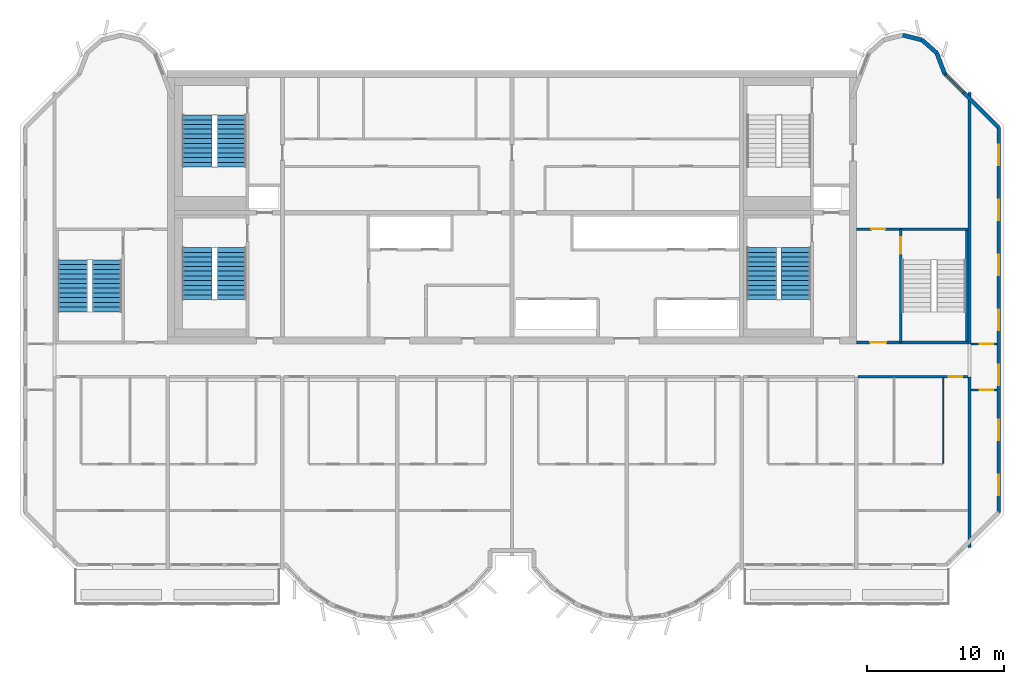
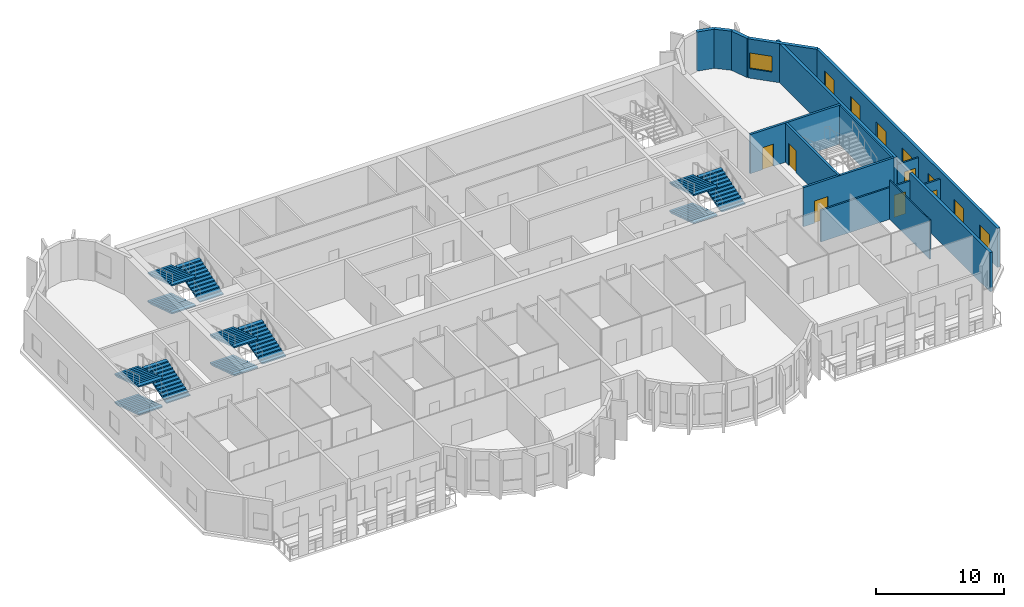
# One storey, part 8 of 12: 15 walls, 12 stair flights, 8 windows, 6 doors, 14 openings, 4 elements without a shape of their own.
"""IFC4 building model written with IfcOpenShell, lengths in metres."""

from ifc_helpers import new_model, si_unit, direction, frame, frame_2d, origin, place, context, subcontext, project, spatial, polyline, rectangle, outline, extrude, source, transform, mapped, material, layer, layer_set, type_object, element, fill, aggregate, save


model = new_model("IFC4")

# Units and contexts
model_context = context("Model", 3, precision=1e-05, world=origin(), true_north=direction((0.0, 1.0)))
body_context = subcontext(model_context, "Body", "Model", "MODEL_VIEW")
ifc_project = project(units=[si_unit("LENGTHUNIT", "METRE"), si_unit("AREAUNIT", "SQUARE_METRE"), si_unit("VOLUMEUNIT", "CUBIC_METRE"), si_unit("PLANEANGLEUNIT", "RADIAN"), si_unit("MASSUNIT", "GRAM", prefix="KILO")], contexts=[model_context])

# Site, building, storey
site_placement = place(None, origin())
site = spatial("IfcSite", under=ifc_project, at=site_placement, CompositionType="ELEMENT")
building_placement = place(site_placement, origin())
building = spatial("IfcBuilding", under=site, at=building_placement, Name="Vanashikhar Sky Hotel", CompositionType="ELEMENT")
storey_placement = place(building_placement, frame((0.0, 0.0, 285.699951171875)))
storey = spatial("IfcBuildingStorey", under=building, at=storey_placement, Name="L68", CompositionType="ELEMENT", Elevation=285.699951171875)

# Walls
ifc_material_1 = material(Name="Concrete M50", Category="concrete")
ifc_layer_1 = layer(ifc_material_1, 0.25)
ifc_layer_set_1 = layer_set([ifc_layer_1], Name="RC shear wall 250 Concrete M50")
wall_type_1 = type_object("IfcWallType", Name="RC shear wall 250 Concrete M50", PredefinedType="SHEAR", material=ifc_layer_set_1)
shared_shape_1 = source(origin(), body_context, "Body", "SweptSolid", [
    extrude(rectangle(XDim=12.5, YDim=0.25, at=frame_2d((6.25, 0.0))), origin(), (0.0, 0.0, 1.0), 3.719970703125),
])
wall_1_placement = place(storey_placement, frame((83.875, 7.10009765625, 0.0), z_axis=(0.0, 0.0, 1.0), x_axis=(0.0, 1.0, 0.0)))
element("IfcWall", 1, at=wall_1_placement, inside=storey, type_object=wall_type_1, Name="CW-L68-XW11-1", PredefinedType="SHEAR", context=body_context, shape_type="MappedRepresentation", body=[
    mapped(shared_shape_1, transform((0.0, 0.0, 0.0), scale=1.0)),
])
shared_shape_2 = source(origin(), body_context, "Body", "SweptSolid", [
    extrude(rectangle(XDim=18.39990234375, YDim=0.25, at=frame_2d((9.199951171875, 0.0))), origin(), (0.0, 0.0, 1.0), 3.719970703125),
])
wall_2_placement = place(storey_placement, frame((83.875, 22.0, 0.0), z_axis=(0.0, 0.0, 1.0), x_axis=(0.0, 1.0, 0.0)))
element("IfcWall", 2, at=wall_2_placement, inside=storey, type_object=wall_type_1, Name="CW-L68-XW11-2", PredefinedType="SHEAR", context=body_context, shape_type="MappedRepresentation", body=[
    mapped(shared_shape_2, transform((0.0, 0.0, 0.0), scale=1.0)),
])

# Wall, opening, window
ifc_layer_2 = layer(ifc_material_1, 0.300048828125)
ifc_layer_set_2 = layer_set([ifc_layer_2], Name="Lobe wall 300")
wall_type_2 = type_object("IfcWallType", Name="Lobe wall 300", PredefinedType="SOLIDWALL", material=ifc_layer_set_2)
shared_shape_3 = source(origin(), body_context, "Body", "SweptSolid", [
    extrude(rectangle(XDim=5.576416015625, YDim=0.300048828125, at=frame_2d((2.7880859375, 0.0))), origin(), (0.0, 0.0, 1.0), 3.719970703125),
])
wall_3_placement = place(storey_placement, frame((86.0, 37.834228515625, 0.0), z_axis=(0.0, 0.0, 1.0), x_axis=(-0.707106781187, 0.707106781187, 0.0)))
wall_3 = element("IfcWall", 3, at=wall_3_placement, inside=storey, type_object=wall_type_2, Name="Corner wall", PredefinedType="SOLIDWALL", context=body_context, shape_type="MappedRepresentation", body=[
    mapped(shared_shape_3, transform((0.0, 0.0, 0.0), scale=1.0)),
])
shared_shape_4 = source(origin(), body_context, "Body", "SweptSolid", [
    extrude(rectangle(XDim=1.800048828125, YDim=1.5, at=frame_2d((0.89990234375, 0.75))), frame((0.0, 0.16015625, 0.0), z_axis=(0.0, -1.0, 0.0), x_axis=(1.0, 0.0, 0.0)), (0.0, 0.0, 1.0), 0.320068359375),
])
opening_1_placement = place(wall_3_placement, frame((3.640869140625, 0.0, 0.89990234375)))
opening_1 = element("IfcOpeningElement", 4, at=opening_1_placement, cuts=wall_3, Name="Opening WN-4", PredefinedType="OPENING", context=body_context, shape_type="MappedRepresentation", body=[
    mapped(shared_shape_4, transform((0.0, 0.0, 0.0), scale=1.0)),
])
ifc_material_2 = material(Name="Glass", Category="glass")
window_type_1 = type_object("IfcWindowType", Name="Corner window 1800 x 1500", PartitioningType="SINGLE_PANEL", PredefinedType="WINDOW", material=ifc_material_2)
shared_shape_5 = source(origin(), body_context, "Body", "SweptSolid", [
    extrude(rectangle(XDim=1.800048828125, YDim=1.5, at=frame_2d((0.89990234375, 0.75))), frame((0.0, 0.030029296875, 0.0), z_axis=(0.0, -1.0, 0.0), x_axis=(1.0, 0.0, 0.0)), (0.0, 0.0, 1.0), 0.06005859375),
])
window_1_placement = place(opening_1_placement, origin())
window_1 = element("IfcWindow", 5, at=window_1_placement, inside=storey, type_object=window_type_1, Name="Window WN-4", OverallHeight=1.5, OverallWidth=1.800048828125, PartitioningType="SINGLE_PANEL", PredefinedType="WINDOW", context=body_context, shape_type="MappedRepresentation", body=[
    mapped(shared_shape_5, transform((0.0, 0.0, 0.0), scale=1.0)),
])
fill(opening_1, window_1)

# Walls
shared_shape_6 = source(origin(), body_context, "Body", "SweptSolid", [
    extrude(rectangle(XDim=1.6220703125, YDim=0.300048828125, at=frame_2d((0.81103515625, 0.0))), origin(), (0.0, 0.0, 1.0), 3.719970703125),
])
wall_4_placement = place(storey_placement, frame((82.056884765625, 41.77734375, 0.0), z_axis=(0.0, 0.0, 1.0), x_axis=(-0.357778527068, 0.933806471154, 0.0)))
element("IfcWall", 6, at=wall_4_placement, inside=storey, type_object=wall_type_2, Name="Lobe wall", PredefinedType="SOLIDWALL", context=body_context, shape_type="MappedRepresentation", body=[
    mapped(shared_shape_6, transform((0.0, 0.0, 0.0), scale=1.0)),
])
shared_shape_7 = source(origin(), body_context, "Body", "SweptSolid", [
    extrude(rectangle(XDim=1.43994140625, YDim=0.300048828125, at=frame_2d((0.719970703125, 0.0))), origin(), (0.0, 0.0, 1.0), 3.719970703125),
])
wall_5_placement = place(storey_placement, frame((81.4765625, 43.2919921875, 0.0), z_axis=(0.0, 0.0, 1.0), x_axis=(-0.74957555648, 0.661918790432, 0.0)))
element("IfcWall", 7, at=wall_5_placement, inside=storey, type_object=wall_type_2, Name="Lobe wall", PredefinedType="SOLIDWALL", context=body_context, shape_type="MappedRepresentation", body=[
    mapped(shared_shape_7, transform((0.0, 0.0, 0.0), scale=1.0)),
])
shared_shape_8 = source(origin(), body_context, "Body", "SweptSolid", [
    extrude(rectangle(XDim=1.438720703125, YDim=0.300048828125, at=frame_2d((0.71923828125, 0.0))), origin(), (0.0, 0.0, 1.0), 3.719970703125),
])
wall_6_placement = place(storey_placement, frame((80.397216796875, 44.2451171875, 0.0), z_axis=(0.0, 0.0, 1.0), x_axis=(-0.971161932466, 0.238420848351, 0.0)))
element("IfcWall", 8, at=wall_6_placement, inside=storey, type_object=wall_type_2, Name="Lobe wall", PredefinedType="SOLIDWALL", context=body_context, shape_type="MappedRepresentation", body=[
    mapped(shared_shape_8, transform((0.0, 0.0, 0.0), scale=1.0)),
])

# Wall, openings, windows
ifc_layer_3 = layer(ifc_material_1, 0.25)
ifc_layer_set_3 = layer_set([ifc_layer_3], Name="Rear and end board-marked wall 250")
wall_type_3 = type_object("IfcWallType", Name="Rear and end board-marked wall 250", PredefinedType="SOLIDWALL", material=ifc_layer_set_3)
shared_shape_9 = source(origin(), body_context, "Body", "SweptSolid", [
    extrude(rectangle(XDim=28.189453125, YDim=0.25, at=frame_2d((14.0947265625, 0.0))), origin(), (0.0, 0.0, 1.0), 3.719970703125),
])
wall_7_placement = place(storey_placement, frame((86.02490234375, 9.6552734375, 0.0), z_axis=(0.0, 0.0, 1.0), x_axis=(0.0, 1.0, 0.0)))
wall_7 = element("IfcWall", 9, at=wall_7_placement, inside=storey, type_object=wall_type_3, Name="End board-marked wall", PredefinedType="SOLIDWALL", context=body_context, shape_type="MappedRepresentation", body=[
    mapped(shared_shape_9, transform((0.0, 0.0, 0.0), scale=1.0)),
])
shared_shape_10 = source(origin(), body_context, "Body", "SweptSolid", [
    extrude(rectangle(XDim=1.5, YDim=1.5, at=frame_2d((0.75, 0.75))), frame((0.0, 0.135009765625, 0.0), z_axis=(0.0, -1.0, 0.0), x_axis=(1.0, 0.0, 0.0)), (0.0, 0.0, 1.0), 0.27001953125),
])
opening_2_placement = place(wall_7_placement, frame((1.263427734375, 0.0, 0.89990234375)))
opening_2 = element("IfcOpeningElement", 10, at=opening_2_placement, cuts=wall_7, Name="Opening WN-1", PredefinedType="OPENING", context=body_context, shape_type="MappedRepresentation", body=[
    mapped(shared_shape_10, transform((0.0, 0.0, 0.0), scale=1.0)),
])
opening_3_placement = place(wall_7_placement, frame((5.29052734375, 0.0, 0.89990234375)))
opening_3 = element("IfcOpeningElement", 11, at=opening_3_placement, cuts=wall_7, Name="Opening WN-1", PredefinedType="OPENING", context=body_context, shape_type="MappedRepresentation", body=[
    mapped(shared_shape_10, transform((0.0, 0.0, 0.0), scale=1.0)),
])
opening_4_placement = place(wall_7_placement, frame((9.317626953125, 0.0, 0.89990234375)))
opening_4 = element("IfcOpeningElement", 12, at=opening_4_placement, cuts=wall_7, Name="Opening WN-1", PredefinedType="OPENING", context=body_context, shape_type="MappedRepresentation", body=[
    mapped(shared_shape_10, transform((0.0, 0.0, 0.0), scale=1.0)),
])
opening_5_placement = place(wall_7_placement, frame((13.3447265625, 0.0, 0.89990234375)))
opening_5 = element("IfcOpeningElement", 13, at=opening_5_placement, cuts=wall_7, Name="Opening WN-1", PredefinedType="OPENING", context=body_context, shape_type="MappedRepresentation", body=[
    mapped(shared_shape_10, transform((0.0, 0.0, 0.0), scale=1.0)),
])
opening_6_placement = place(wall_7_placement, frame((17.371826171875, 0.0, 0.89990234375)))
opening_6 = element("IfcOpeningElement", 14, at=opening_6_placement, cuts=wall_7, Name="Opening WN-1", PredefinedType="OPENING", context=body_context, shape_type="MappedRepresentation", body=[
    mapped(shared_shape_10, transform((0.0, 0.0, 0.0), scale=1.0)),
])
opening_7_placement = place(wall_7_placement, frame((21.398681640625, 0.0, 0.89990234375)))
opening_7 = element("IfcOpeningElement", 15, at=opening_7_placement, cuts=wall_7, Name="Opening WN-1", PredefinedType="OPENING", context=body_context, shape_type="MappedRepresentation", body=[
    mapped(shared_shape_10, transform((0.0, 0.0, 0.0), scale=1.0)),
])
opening_8_placement = place(wall_7_placement, frame((25.42578125, 0.0, 0.89990234375)))
opening_8 = element("IfcOpeningElement", 16, at=opening_8_placement, cuts=wall_7, Name="Opening WN-1", PredefinedType="OPENING", context=body_context, shape_type="MappedRepresentation", body=[
    mapped(shared_shape_10, transform((0.0, 0.0, 0.0), scale=1.0)),
])
window_type_2 = type_object("IfcWindowType", Name="Window 1500 x 1500", PartitioningType="SINGLE_PANEL", PredefinedType="WINDOW", material=ifc_material_2)
shared_shape_11 = source(origin(), body_context, "Body", "SweptSolid", [
    extrude(rectangle(XDim=1.5, YDim=1.5, at=frame_2d((0.75, 0.75))), frame((0.0, 0.030029296875, 0.0), z_axis=(0.0, -1.0, 0.0), x_axis=(1.0, 0.0, 0.0)), (0.0, 0.0, 1.0), 0.06005859375),
])
window_2_placement = place(opening_2_placement, origin())
window_2 = element("IfcWindow", 17, at=window_2_placement, inside=storey, type_object=window_type_2, Name="Window WN-1", OverallHeight=1.5, OverallWidth=1.5, PartitioningType="SINGLE_PANEL", PredefinedType="WINDOW", context=body_context, shape_type="MappedRepresentation", body=[
    mapped(shared_shape_11, transform((0.0, 0.0, 0.0), scale=1.0)),
])
fill(opening_2, window_2)
window_3_placement = place(opening_3_placement, origin())
window_3 = element("IfcWindow", 18, at=window_3_placement, inside=storey, type_object=window_type_2, Name="Window WN-1", OverallHeight=1.5, OverallWidth=1.5, PartitioningType="SINGLE_PANEL", PredefinedType="WINDOW", context=body_context, shape_type="MappedRepresentation", body=[
    mapped(shared_shape_11, transform((0.0, 0.0, 0.0), scale=1.0)),
])
fill(opening_3, window_3)
window_4_placement = place(opening_4_placement, origin())
window_4 = element("IfcWindow", 19, at=window_4_placement, inside=storey, type_object=window_type_2, Name="Window WN-1", OverallHeight=1.5, OverallWidth=1.5, PartitioningType="SINGLE_PANEL", PredefinedType="WINDOW", context=body_context, shape_type="MappedRepresentation", body=[
    mapped(shared_shape_11, transform((0.0, 0.0, 0.0), scale=1.0)),
])
fill(opening_4, window_4)
window_5_placement = place(opening_5_placement, origin())
window_5 = element("IfcWindow", 20, at=window_5_placement, inside=storey, type_object=window_type_2, Name="Window WN-1", OverallHeight=1.5, OverallWidth=1.5, PartitioningType="SINGLE_PANEL", PredefinedType="WINDOW", context=body_context, shape_type="MappedRepresentation", body=[
    mapped(shared_shape_11, transform((0.0, 0.0, 0.0), scale=1.0)),
])
fill(opening_5, window_5)
window_6_placement = place(opening_6_placement, origin())
window_6 = element("IfcWindow", 21, at=window_6_placement, inside=storey, type_object=window_type_2, Name="Window WN-1", OverallHeight=1.5, OverallWidth=1.5, PartitioningType="SINGLE_PANEL", PredefinedType="WINDOW", context=body_context, shape_type="MappedRepresentation", body=[
    mapped(shared_shape_11, transform((0.0, 0.0, 0.0), scale=1.0)),
])
fill(opening_6, window_6)
window_7_placement = place(opening_7_placement, origin())
window_7 = element("IfcWindow", 22, at=window_7_placement, inside=storey, type_object=window_type_2, Name="Window WN-1", OverallHeight=1.5, OverallWidth=1.5, PartitioningType="SINGLE_PANEL", PredefinedType="WINDOW", context=body_context, shape_type="MappedRepresentation", body=[
    mapped(shared_shape_11, transform((0.0, 0.0, 0.0), scale=1.0)),
])
fill(opening_7, window_7)
window_8_placement = place(opening_8_placement, origin())
window_8 = element("IfcWindow", 23, at=window_8_placement, inside=storey, type_object=window_type_2, Name="Window WN-1", OverallHeight=1.5, OverallWidth=1.5, PartitioningType="SINGLE_PANEL", PredefinedType="WINDOW", context=body_context, shape_type="MappedRepresentation", body=[
    mapped(shared_shape_11, transform((0.0, 0.0, 0.0), scale=1.0)),
])
fill(opening_8, window_8)

# Wall, opening, door
ifc_layer_4 = layer(ifc_material_1, 0.199951171875)
ifc_layer_set_4 = layer_set([ifc_layer_4], Name="Stair wall 200")
wall_type_4 = type_object("IfcWallType", Name="Stair wall 200", PredefinedType="SOLIDWALL", material=ifc_layer_set_4)
shared_shape_12 = source(origin(), body_context, "Body", "SweptSolid", [
    extrude(rectangle(XDim=8.2998046875, YDim=0.199951171875, at=frame_2d((4.14990234375, 0.0))), origin(), (0.0, 0.0, 1.0), 3.719970703125),
])
wall_8_placement = place(storey_placement, frame((78.85009765625, 22.10009765625, 0.0), z_axis=(0.0, 0.0, 1.0), x_axis=(0.0, 1.0, 0.0)))
wall_8 = element("IfcWall", 24, at=wall_8_placement, inside=storey, type_object=wall_type_4, Name="Stair wall 200", PredefinedType="SOLIDWALL", context=body_context, shape_type="MappedRepresentation", body=[
    mapped(shared_shape_12, transform((0.0, 0.0, 0.0), scale=1.0)),
])
shared_shape_13 = source(origin(), body_context, "Body", "SweptSolid", [
    extrude(rectangle(XDim=1.199951171875, YDim=2.10009765625, at=frame_2d((0.60009765625, 1.050048828125))), frame((0.0, 0.10986328125, 0.0), z_axis=(0.0, -1.0, 0.0), x_axis=(1.0, 0.0, 0.0)), (0.0, 0.0, 1.0), 0.219970703125),
])
opening_9_placement = place(wall_8_placement, frame((6.5, 0.0, 0.0)))
opening_9 = element("IfcOpeningElement", 25, at=opening_9_placement, cuts=wall_8, Name="Opening DC-1", PredefinedType="OPENING", context=body_context, shape_type="MappedRepresentation", body=[
    mapped(shared_shape_13, transform((0.0, 0.0, 0.0), scale=1.0)),
])
ifc_material_3 = material(Name="Steel", Category="steel")
door_type_1 = type_object("IfcDoorType", Name="Stair door 1200 FD120", OperationType="NOTDEFINED", PredefinedType="DOOR", material=ifc_material_3)
shared_shape_14 = source(origin(), body_context, "Body", "SweptSolid", [
    extrude(rectangle(XDim=1.199951171875, YDim=2.10009765625, at=frame_2d((0.60009765625, 1.050048828125))), frame((0.0, 0.02490234375, 0.0), z_axis=(0.0, -1.0, 0.0), x_axis=(1.0, 0.0, 0.0)), (0.0, 0.0, 1.0), 0.050048828125),
])
door_1_placement = place(opening_9_placement, origin())
door_1 = element("IfcDoor", 26, at=door_1_placement, inside=storey, type_object=door_type_1, Name="Stair door 1200 FD120", OperationType="SINGLE_SWING_RIGHT", OverallHeight=2.10009765625, OverallWidth=1.199951171875, PredefinedType="DOOR", context=body_context, shape_type="MappedRepresentation", body=[
    mapped(shared_shape_14, transform((0.0, 0.0, 0.0), scale=1.0)),
])
fill(opening_9, door_1)

shared_shape_15 = source(origin(), body_context, "Body", "SweptSolid", [
    extrude(rectangle(XDim=8.14990234375, YDim=0.199951171875, at=frame_2d((4.074951171875, 0.0))), origin(), (0.0, 0.0, 1.0), 3.719970703125),
])
wall_9_placement = place(storey_placement, frame((83.75, 22.10009765625, 0.0), z_axis=(0.0, 0.0, 1.0), x_axis=(-1.0, 0.0, 0.0)))
wall_9 = element("IfcWall", 27, at=wall_9_placement, inside=storey, type_object=wall_type_4, Name="Stair wall 200", PredefinedType="SOLIDWALL", context=body_context, shape_type="MappedRepresentation", body=[
    mapped(shared_shape_15, transform((0.0, 0.0, 0.0), scale=1.0)),
])
opening_10_placement = place(wall_9_placement, frame((5.949951171875, 0.0, 0.0)))
opening_10 = element("IfcOpeningElement", 28, at=opening_10_placement, cuts=wall_9, Name="Opening DC-2", PredefinedType="OPENING", context=body_context, shape_type="MappedRepresentation", body=[
    mapped(shared_shape_13, transform((0.0, 0.0, 0.0), scale=1.0)),
])
door_type_2 = type_object("IfcDoorType", Name="Firefighting lobby door 1200 FD120", OperationType="NOTDEFINED", PredefinedType="DOOR", material=ifc_material_3)
door_2_placement = place(opening_10_placement, origin())
door_2 = element("IfcDoor", 29, at=door_2_placement, inside=storey, type_object=door_type_2, Name="Firefighting lobby door 1200 FD120", OperationType="SINGLE_SWING_RIGHT", OverallHeight=2.10009765625, OverallWidth=1.199951171875, PredefinedType="DOOR", context=body_context, shape_type="MappedRepresentation", body=[
    mapped(shared_shape_14, transform((0.0, 0.0, 0.0), scale=1.0)),
])
fill(opening_10, door_2)

wall_10_placement = place(storey_placement, frame((83.75, 30.39990234375, 0.0), z_axis=(0.0, 0.0, 1.0), x_axis=(-1.0, 0.0, 0.0)))
wall_10 = element("IfcWall", 30, at=wall_10_placement, inside=storey, type_object=wall_type_4, Name="Stair wall 200", PredefinedType="SOLIDWALL", context=body_context, shape_type="MappedRepresentation", body=[
    mapped(shared_shape_15, transform((0.0, 0.0, 0.0), scale=1.0)),
])
shared_shape_16 = source(origin(), body_context, "Body", "SweptSolid", [
    extrude(rectangle(XDim=1.0, YDim=2.10009765625, at=frame_2d((0.5, 1.050048828125))), frame((0.0, 0.10986328125, 0.0), z_axis=(0.0, -1.0, 0.0), x_axis=(1.0, 0.0, 0.0)), (0.0, 0.0, 1.0), 0.219970703125),
])
opening_11_placement = place(wall_10_placement, frame((6.050048828125, 0.0, 0.0)))
opening_11 = element("IfcOpeningElement", 31, at=opening_11_placement, cuts=wall_10, Name="Opening DC-6", PredefinedType="OPENING", context=body_context, shape_type="MappedRepresentation", body=[
    mapped(shared_shape_16, transform((0.0, 0.0, 0.0), scale=1.0)),
])
door_type_3 = type_object("IfcDoorType", Name="Pocket door 1000 FD60", OperationType="NOTDEFINED", PredefinedType="DOOR", material=ifc_material_3)
shared_shape_17 = source(origin(), body_context, "Body", "SweptSolid", [
    extrude(rectangle(XDim=1.0, YDim=2.10009765625, at=frame_2d((0.5, 1.050048828125))), frame((0.0, 0.02490234375, 0.0), z_axis=(0.0, -1.0, 0.0), x_axis=(1.0, 0.0, 0.0)), (0.0, 0.0, 1.0), 0.050048828125),
])
door_3_placement = place(opening_11_placement, origin())
door_3 = element("IfcDoor", 32, at=door_3_placement, inside=storey, type_object=door_type_3, Name="Pocket door 1000 FD60", OperationType="SINGLE_SWING_RIGHT", OverallHeight=2.10009765625, OverallWidth=1.0, PredefinedType="DOOR", context=body_context, shape_type="MappedRepresentation", body=[
    mapped(shared_shape_17, transform((0.0, 0.0, 0.0), scale=1.0)),
])
fill(opening_11, door_3)

# Walls
ifc_layer_5 = layer(ifc_material_1, 0.14990234375)
ifc_layer_set_5 = layer_set([ifc_layer_5], Name="Stair infill wall 150")
wall_type_5 = type_object("IfcWallType", Name="Stair infill wall 150", PredefinedType="SOLIDWALL", material=ifc_layer_set_5)
shared_shape_18 = source(origin(), body_context, "Body", "SweptSolid", [
    extrude(rectangle(XDim=8.10009765625, YDim=0.14990234375, at=frame_2d((4.050048828125, 0.0))), origin(), (0.0, 0.0, 1.0), 3.719970703125),
])
wall_11_placement = place(storey_placement, frame((83.675048828125, 22.199951171875, 0.0), z_axis=(0.0, 0.0, 1.0), x_axis=(0.0, 1.0, 0.0)))
element("IfcWall", 33, at=wall_11_placement, inside=storey, type_object=wall_type_5, Name="Stair infill wall 150", PredefinedType="SOLIDWALL", context=body_context, shape_type="MappedRepresentation", body=[
    mapped(shared_shape_18, transform((0.0, 0.0, 0.0), scale=1.0)),
])
ifc_material_4 = material(Name="Gypsum plasterboard partition")
ifc_layer_6 = layer(ifc_material_4, 0.10009765625)
ifc_layer_set_6 = layer_set([ifc_layer_6], Name="Wet room partition 100")
wall_type_6 = type_object("IfcWallType", Name="Wet room partition 100", PredefinedType="PARTITIONING", material=ifc_layer_set_6)
shared_shape_19 = source(origin(), body_context, "Body", "SweptSolid", [
    extrude(rectangle(XDim=6.25, YDim=0.10009765625, at=frame_2d((3.125, 0.0))), origin(), (0.0, 0.0, 1.0), 3.719970703125),
])
wall_12_placement = place(storey_placement, frame((81.949951171875, 13.27490234375, 0.0), z_axis=(0.0, 0.0, 1.0), x_axis=(0.0, 1.0, 0.0)))
element("IfcWall", 34, at=wall_12_placement, inside=storey, type_object=wall_type_6, Name="W-L68-PW040", PredefinedType="PARTITIONING", context=body_context, shape_type="MappedRepresentation", body=[
    mapped(shared_shape_19, transform((0.0, 0.0, 0.0), scale=1.0)),
])

# Wall, opening, door
ifc_layer_7 = layer(ifc_material_4, 0.14990234375)
ifc_layer_set_7 = layer_set([ifc_layer_7], Name="Corridor and demising partition 150")
wall_type_7 = type_object("IfcWallType", Name="Corridor and demising partition 150", PredefinedType="PARTITIONING", material=ifc_layer_set_7)
shared_shape_20 = source(origin(), body_context, "Body", "SweptSolid", [
    extrude(rectangle(XDim=8.02490234375, YDim=0.14990234375, at=frame_2d((4.012451171875, 0.0))), origin(), (0.0, 0.0, 1.0), 3.02001953125),
])
wall_13_placement = place(storey_placement, frame((75.72509765625, 19.60009765625, 0.0), z_axis=(0.0, 0.0, 1.0), x_axis=(1.0, 0.0, 0.0)))
wall_13 = element("IfcWall", 35, at=wall_13_placement, inside=storey, type_object=wall_type_7, Name="W-L68-PW045", PredefinedType="PARTITIONING", context=body_context, shape_type="MappedRepresentation", body=[
    mapped(shared_shape_20, transform((0.0, 0.0, 0.0), scale=1.0)),
])
shared_shape_21 = source(origin(), body_context, "Body", "SweptSolid", [
    extrude(rectangle(XDim=1.0, YDim=2.10009765625, at=frame_2d((0.5, 1.050048828125))), frame((0.0, 0.0849609375, 0.0), z_axis=(0.0, -1.0, 0.0), x_axis=(1.0, 0.0, 0.0)), (0.0, 0.0, 1.0), 0.169921875),
])
opening_12_placement = place(wall_13_placement, frame((6.625, 0.0, 0.0)))
opening_12 = element("IfcOpeningElement", 36, at=opening_12_placement, cuts=wall_13, Name="Opening D-01", PredefinedType="OPENING", context=body_context, shape_type="MappedRepresentation", body=[
    mapped(shared_shape_21, transform((0.0, 0.0, 0.0), scale=1.0)),
])
ifc_material_5 = material(Name="Timber fire door", Category="wood")
door_type_4 = type_object("IfcDoorType", Name="Guest entry door 1000 FD30S", OperationType="NOTDEFINED", PredefinedType="DOOR", material=ifc_material_5)
door_4_placement = place(opening_12_placement, origin())
door_4 = element("IfcDoor", 37, at=door_4_placement, inside=storey, type_object=door_type_4, Name="D-L68-029", OperationType="SINGLE_SWING_RIGHT", OverallHeight=2.10009765625, OverallWidth=1.0, PredefinedType="DOOR", context=body_context, shape_type="MappedRepresentation", body=[
    mapped(shared_shape_17, transform((0.0, 0.0, 0.0), scale=1.0)),
])
fill(opening_12, door_4)

shared_shape_22 = source(origin(), body_context, "Body", "SweptSolid", [
    extrude(rectangle(XDim=1.89990234375, YDim=0.14990234375, at=frame_2d((0.949951171875, 0.0))), origin(), (0.0, 0.0, 1.0), 3.02001953125),
])
wall_14_placement = place(storey_placement, frame((84.0, 22.0, 0.0), z_axis=(0.0, 0.0, 1.0), x_axis=(1.0, 0.0, 0.0)))
wall_14 = element("IfcWall", 38, at=wall_14_placement, inside=storey, type_object=wall_type_7, Name="W-L68-PW049", PredefinedType="PARTITIONING", context=body_context, shape_type="MappedRepresentation", body=[
    mapped(shared_shape_22, transform((0.0, 0.0, 0.0), scale=1.0)),
])
opening_13_placement = place(wall_14_placement, frame((0.625, 0.0, 0.0)))
opening_13 = element("IfcOpeningElement", 39, at=opening_13_placement, cuts=wall_14, Name="Opening D-01", PredefinedType="OPENING", context=body_context, shape_type="MappedRepresentation", body=[
    mapped(shared_shape_21, transform((0.0, 0.0, 0.0), scale=1.0)),
])
door_5_placement = place(opening_13_placement, origin())
door_5 = element("IfcDoor", 40, at=door_5_placement, inside=storey, type_object=door_type_4, Name="D-L68-031", OperationType="SINGLE_SWING_RIGHT", OverallHeight=2.10009765625, OverallWidth=1.0, PredefinedType="DOOR", context=body_context, shape_type="MappedRepresentation", body=[
    mapped(shared_shape_17, transform((0.0, 0.0, 0.0), scale=1.0)),
])
fill(opening_13, door_5)

wall_15_placement = place(storey_placement, frame((84.0, 18.6279296875, 0.0), z_axis=(0.0, 0.0, 1.0), x_axis=(1.0, 0.0, 0.0)))
wall_15 = element("IfcWall", 41, at=wall_15_placement, inside=storey, type_object=wall_type_7, Name="W-L68-PW051", PredefinedType="PARTITIONING", context=body_context, shape_type="MappedRepresentation", body=[
    mapped(shared_shape_22, transform((0.0, 0.0, 0.0), scale=1.0)),
])
opening_14_placement = place(wall_15_placement, frame((0.625, 0.0, 0.0)))
opening_14 = element("IfcOpeningElement", 42, at=opening_14_placement, cuts=wall_15, Name="Opening D-01", PredefinedType="OPENING", context=body_context, shape_type="MappedRepresentation", body=[
    mapped(shared_shape_21, transform((0.0, 0.0, 0.0), scale=1.0)),
])
door_6_placement = place(opening_14_placement, origin())
door_6 = element("IfcDoor", 43, at=door_6_placement, inside=storey, type_object=door_type_4, Name="D-L68-033", OperationType="SINGLE_SWING_RIGHT", OverallHeight=2.10009765625, OverallWidth=1.0, PredefinedType="DOOR", context=body_context, shape_type="MappedRepresentation", body=[
    mapped(shared_shape_17, transform((0.0, 0.0, 0.0), scale=1.0)),
])
fill(opening_14, door_6)

# Stair, stair flights
ifc_material_6 = material(Name="Concrete M40", Category="concrete")
stair_type = type_object("IfcStairType", Name="Exit stair 2150", PredefinedType="DOUBLE_RETURN_STAIR", material=ifc_material_6)
stair_1_placement = place(storey_placement, origin())
stair_1 = element("IfcStair", 44, at=stair_1_placement, inside=storey, type_object=stair_type, Name="L68 Exit stair 1", PredefinedType="DOUBLE_RETURN_STAIR")
stair_flight_type = type_object("IfcStairFlightType", Name="Stair flight 2150", PredefinedType="STRAIGHT", material=ifc_material_6)
shared_shape_23 = source(origin(), body_context, "Body", "SweptSolid", [
    extrude(outline(polyline([(0.0, 0.0), (0.0, 0.111083984375), (0.345458984375, 0.111083984375), (0.345458984375, 0.22216796875), (0.69091796875, 0.22216796875), (0.69091796875, 0.333251953125), (1.036376953125, 0.333251953125), (1.036376953125, 0.4443359375), (1.3818359375, 0.4443359375), (1.3818359375, 0.5556640625), (1.727294921875, 0.5556640625), (1.727294921875, 0.666748046875), (2.07275390625, 0.666748046875), (2.07275390625, 0.77783203125), (2.418212890625, 0.77783203125), (2.418212890625, 0.888916015625), (2.763671875, 0.888916015625), (2.763671875, 1.0), (3.109130859375, 1.0), (3.109130859375, 1.111083984375), (3.45458984375, 1.111083984375), (3.45458984375, 1.22216796875), (3.800048828125, 1.22216796875), (3.800048828125, 1.333251953125), (3.800048828125, 1.095947265625), (0.392333984375, 0.0), (0.0, 0.0)])), frame((0.0, 1.074951171875, 0.0), z_axis=(0.0, -1.0, 0.0), x_axis=(1.0, 0.0, 0.0)), (0.0, 0.0, 1.0), 2.14990234375),
])
stair_flight_1_placement = place(storey_placement, frame((27.375, 29.050048828125, 0.0), z_axis=(0.0, 0.0, 1.0), x_axis=(0.0, -1.0, 0.0)))
stair_flight_1 = element("IfcStairFlight", 45, at=stair_flight_1_placement, type_object=stair_flight_type, Name="ST-C1 flight 1", NumberOfRisers=12, NumberOfTreads=11, PredefinedType="STRAIGHT", RiserHeight=0.111111111, TreadLength=0.345454545, context=body_context, shape_type="MappedRepresentation", body=[
    mapped(shared_shape_23, transform((0.0, 0.0, 0.0), scale=1.0)),
])
stair_flight_2_placement = place(storey_placement, frame((29.875, 25.25, 1.33349609375), z_axis=(0.0, 0.0, 1.0), x_axis=(0.0, 1.0, 0.0)))
stair_flight_2 = element("IfcStairFlight", 46, at=stair_flight_2_placement, type_object=stair_flight_type, Name="ST-C1 flight 2", NumberOfRisers=12, NumberOfTreads=11, PredefinedType="STRAIGHT", RiserHeight=0.111111111, TreadLength=0.345454545, context=body_context, shape_type="MappedRepresentation", body=[
    mapped(shared_shape_23, transform((0.0, 0.0, 0.0), scale=1.0)),
])
stair_flight_3_placement = place(storey_placement, frame((27.375, 29.050048828125, 2.666748046875), z_axis=(0.0, 0.0, 1.0), x_axis=(0.0, -1.0, 0.0)))
stair_flight_3 = element("IfcStairFlight", 47, at=stair_flight_3_placement, type_object=stair_flight_type, Name="ST-C1 flight 3", NumberOfRisers=12, NumberOfTreads=11, PredefinedType="STRAIGHT", RiserHeight=0.111111111, TreadLength=0.345454545, context=body_context, shape_type="MappedRepresentation", body=[
    mapped(shared_shape_23, transform((0.0, 0.0, 0.0), scale=1.0)),
])
aggregate(stair_1, [stair_flight_1, stair_flight_2, stair_flight_3])

stair_2_placement = place(storey_placement, origin())
stair_2 = element("IfcStair", 48, at=stair_2_placement, inside=storey, type_object=stair_type, Name="L68 Exit stair 2", PredefinedType="DOUBLE_RETURN_STAIR")
stair_flight_4_placement = place(storey_placement, frame((68.675048828125, 29.050048828125, 0.0), z_axis=(0.0, 0.0, 1.0), x_axis=(0.0, -1.0, 0.0)))
stair_flight_4 = element("IfcStairFlight", 49, at=stair_flight_4_placement, type_object=stair_flight_type, Name="ST-C2 flight 1", NumberOfRisers=12, NumberOfTreads=11, PredefinedType="STRAIGHT", RiserHeight=0.111111111, TreadLength=0.345454545, context=body_context, shape_type="MappedRepresentation", body=[
    mapped(shared_shape_23, transform((0.0, 0.0, 0.0), scale=1.0)),
])
stair_flight_5_placement = place(storey_placement, frame((71.175048828125, 25.25, 1.33349609375), z_axis=(0.0, 0.0, 1.0), x_axis=(0.0, 1.0, 0.0)))
stair_flight_5 = element("IfcStairFlight", 50, at=stair_flight_5_placement, type_object=stair_flight_type, Name="ST-C2 flight 2", NumberOfRisers=12, NumberOfTreads=11, PredefinedType="STRAIGHT", RiserHeight=0.111111111, TreadLength=0.345454545, context=body_context, shape_type="MappedRepresentation", body=[
    mapped(shared_shape_23, transform((0.0, 0.0, 0.0), scale=1.0)),
])
stair_flight_6_placement = place(storey_placement, frame((68.675048828125, 29.050048828125, 2.666748046875), z_axis=(0.0, 0.0, 1.0), x_axis=(0.0, -1.0, 0.0)))
stair_flight_6 = element("IfcStairFlight", 51, at=stair_flight_6_placement, type_object=stair_flight_type, Name="ST-C2 flight 3", NumberOfRisers=12, NumberOfTreads=11, PredefinedType="STRAIGHT", RiserHeight=0.111111111, TreadLength=0.345454545, context=body_context, shape_type="MappedRepresentation", body=[
    mapped(shared_shape_23, transform((0.0, 0.0, 0.0), scale=1.0)),
])
aggregate(stair_2, [stair_flight_4, stair_flight_5, stair_flight_6])

stair_3_placement = place(storey_placement, origin())
stair_3 = element("IfcStair", 52, at=stair_3_placement, inside=storey, type_object=stair_type, Name="L68 Exit stair 3", PredefinedType="DOUBLE_RETURN_STAIR")
stair_flight_7_placement = place(storey_placement, frame((18.27490234375, 28.14990234375, 0.0), z_axis=(0.0, 0.0, 1.0), x_axis=(0.0, -1.0, 0.0)))
stair_flight_7 = element("IfcStairFlight", 53, at=stair_flight_7_placement, type_object=stair_flight_type, Name="ST-W flight 1", NumberOfRisers=12, NumberOfTreads=11, PredefinedType="STRAIGHT", RiserHeight=0.111111111, TreadLength=0.345454545, context=body_context, shape_type="MappedRepresentation", body=[
    mapped(shared_shape_23, transform((0.0, 0.0, 0.0), scale=1.0)),
])
stair_flight_8_placement = place(storey_placement, frame((20.77490234375, 24.35009765625, 1.33349609375), z_axis=(0.0, 0.0, 1.0), x_axis=(0.0, 1.0, 0.0)))
stair_flight_8 = element("IfcStairFlight", 54, at=stair_flight_8_placement, type_object=stair_flight_type, Name="ST-W flight 2", NumberOfRisers=12, NumberOfTreads=11, PredefinedType="STRAIGHT", RiserHeight=0.111111111, TreadLength=0.345454545, context=body_context, shape_type="MappedRepresentation", body=[
    mapped(shared_shape_23, transform((0.0, 0.0, 0.0), scale=1.0)),
])
stair_flight_9_placement = place(storey_placement, frame((18.27490234375, 28.14990234375, 2.666748046875), z_axis=(0.0, 0.0, 1.0), x_axis=(0.0, -1.0, 0.0)))
stair_flight_9 = element("IfcStairFlight", 55, at=stair_flight_9_placement, type_object=stair_flight_type, Name="ST-W flight 3", NumberOfRisers=12, NumberOfTreads=11, PredefinedType="STRAIGHT", RiserHeight=0.111111111, TreadLength=0.345454545, context=body_context, shape_type="MappedRepresentation", body=[
    mapped(shared_shape_23, transform((0.0, 0.0, 0.0), scale=1.0)),
])
aggregate(stair_3, [stair_flight_7, stair_flight_8, stair_flight_9])

stair_4_placement = place(storey_placement, origin())
stair_4 = element("IfcStair", 56, at=stair_4_placement, inside=storey, type_object=stair_type, Name="L68 Exit stair 5", PredefinedType="DOUBLE_RETURN_STAIR")
stair_flight_10_placement = place(storey_placement, frame((27.375, 38.75, 0.0), z_axis=(0.0, 0.0, 1.0), x_axis=(0.0, -1.0, 0.0)))
stair_flight_10 = element("IfcStairFlight", 57, at=stair_flight_10_placement, type_object=stair_flight_type, Name="ST-C3 flight 1", NumberOfRisers=12, NumberOfTreads=11, PredefinedType="STRAIGHT", RiserHeight=0.111111111, TreadLength=0.345454545, context=body_context, shape_type="MappedRepresentation", body=[
    mapped(shared_shape_23, transform((0.0, 0.0, 0.0), scale=1.0)),
])
stair_flight_11_placement = place(storey_placement, frame((29.875, 34.949951171875, 1.33349609375), z_axis=(0.0, 0.0, 1.0), x_axis=(0.0, 1.0, 0.0)))
stair_flight_11 = element("IfcStairFlight", 58, at=stair_flight_11_placement, type_object=stair_flight_type, Name="ST-C3 flight 2", NumberOfRisers=12, NumberOfTreads=11, PredefinedType="STRAIGHT", RiserHeight=0.111111111, TreadLength=0.345454545, context=body_context, shape_type="MappedRepresentation", body=[
    mapped(shared_shape_23, transform((0.0, 0.0, 0.0), scale=1.0)),
])
stair_flight_12_placement = place(storey_placement, frame((27.375, 38.75, 2.666748046875), z_axis=(0.0, 0.0, 1.0), x_axis=(0.0, -1.0, 0.0)))
stair_flight_12 = element("IfcStairFlight", 59, at=stair_flight_12_placement, type_object=stair_flight_type, Name="ST-C3 flight 3", NumberOfRisers=12, NumberOfTreads=11, PredefinedType="STRAIGHT", RiserHeight=0.111111111, TreadLength=0.345454545, context=body_context, shape_type="MappedRepresentation", body=[
    mapped(shared_shape_23, transform((0.0, 0.0, 0.0), scale=1.0)),
])
aggregate(stair_4, [stair_flight_10, stair_flight_11, stair_flight_12])

save(model, "model.ifc")
